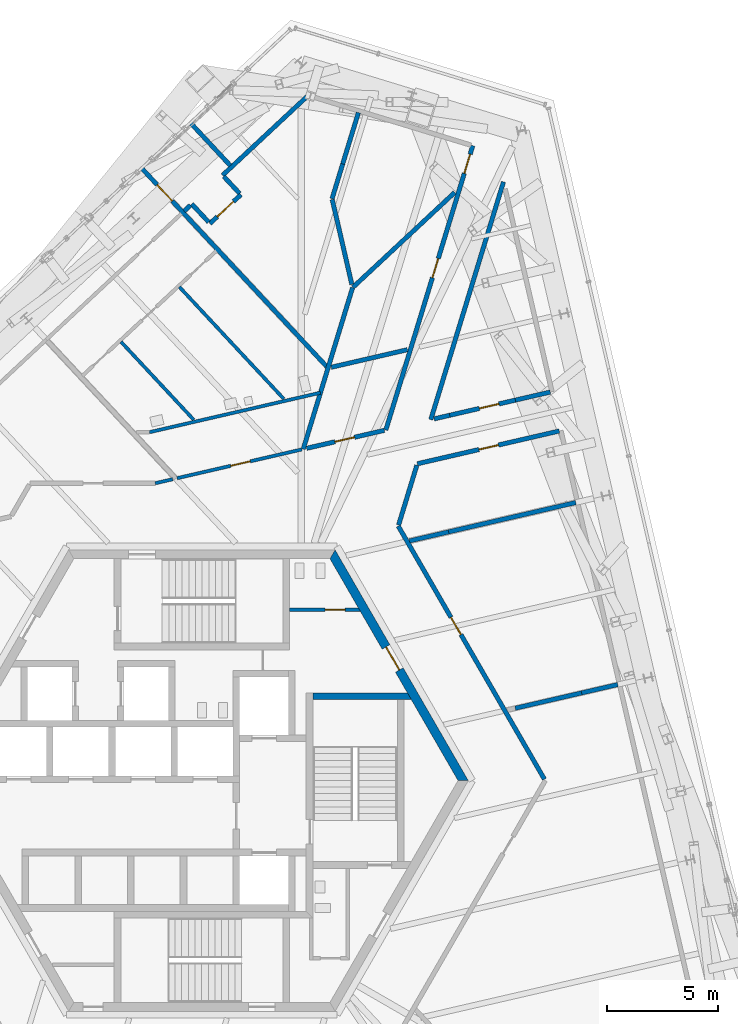
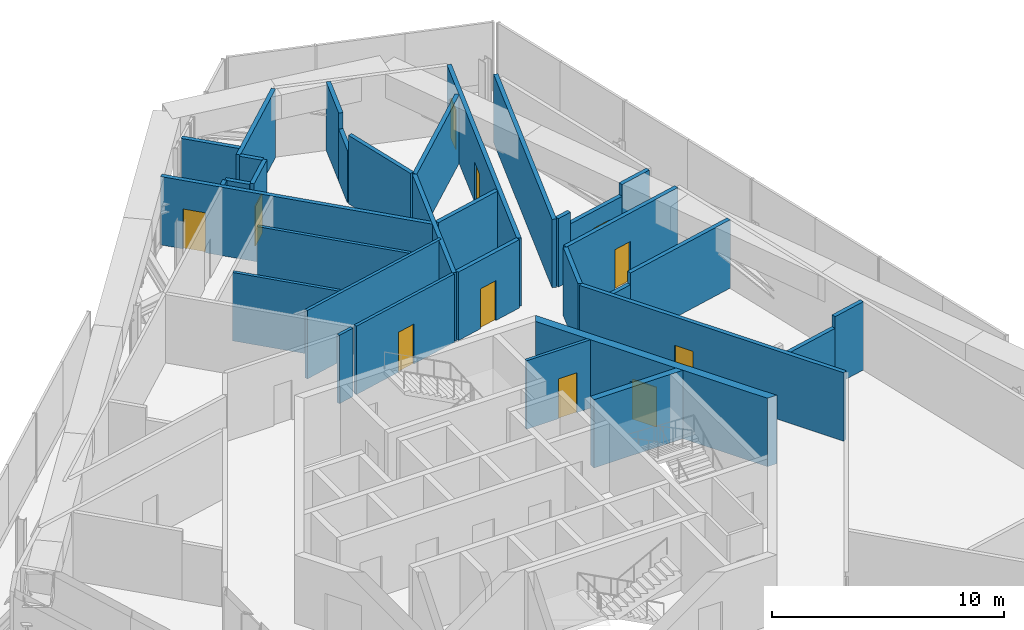
# One storey, part 21 of 31: 34 walls, 11 doors, 11 openings.
"""IFC4 building model written with IfcOpenShell, lengths in metres."""

from ifc_helpers import new_model, si_unit, direction, frame, frame_2d, origin, place, context, subcontext, project, spatial, polyline, rectangle, outline, extrude, source, transform, mapped, material, layer, layer_set, type_object, element, fill, save


model = new_model("IFC4")

# Units and contexts
model_context = context("Model", 3, precision=1e-05, world=origin(), true_north=direction((0.0, 1.0)))
body_context = subcontext(model_context, "Body", "Model", "MODEL_VIEW")
ifc_project = project(units=[si_unit("LENGTHUNIT", "METRE"), si_unit("AREAUNIT", "SQUARE_METRE"), si_unit("VOLUMEUNIT", "CUBIC_METRE"), si_unit("PLANEANGLEUNIT", "RADIAN"), si_unit("MASSUNIT", "GRAM", prefix="KILO")], contexts=[model_context])

# Site, building, storey
site_placement = place(None, origin())
site = spatial("IfcSite", under=ifc_project, at=site_placement, CompositionType="ELEMENT")
building_placement = place(site_placement, origin())
building = spatial("IfcBuilding", under=site, at=building_placement, Name="Triune Harvest Tower", CompositionType="ELEMENT")
storey_placement = place(building_placement, frame((0.0, 0.0, 134.300048828125)))
storey = spatial("IfcBuildingStorey", under=building, at=storey_placement, Name="L34", CompositionType="ELEMENT", Elevation=134.300048828125)

# Wall, opening, door
ifc_material_1 = material(Name="Concrete masonry unit", Category="masonry")
ifc_layer_1 = layer(ifc_material_1, 0.14990234375)
ifc_layer_set_1 = layer_set([ifc_layer_1], Name="Concrete masonry unit")
wall_type_1 = type_object("IfcWallType", Name="Block partition 150 unrated", PredefinedType="PARTITIONING", material=ifc_layer_set_1)
wall_1_placement = place(storey_placement, frame((3.949951171875, 7.699951171875, 0.0), z_axis=(0.0, 0.0, 1.0), x_axis=(1.0, 0.0, 0.0)))
wall_1 = element("IfcWall", 1, at=wall_1_placement, inside=storey, type_object=wall_type_1, Name="Wc women south wall", PredefinedType="PARTITIONING", context=body_context, shape_type="SweptSolid", body=[
    extrude(outline(polyline([(0.0, -0.074951171875), (0.0, 0.074951171875), (3.1015625, 0.074951171875), (3.18798828125, -0.074951171875), (0.0, -0.074951171875)])), origin(), (0.0, 0.0, 1.0), 3.599853515625),
])
opening_1_placement = place(wall_1_placement, frame((1.60009765625, 0.0, 0.0)))
opening_1 = element("IfcOpeningElement", 2, at=opening_1_placement, cuts=wall_1, Name="Opening CD-WW", PredefinedType="OPENING", context=body_context, shape_type="SweptSolid", body=[
    extrude(rectangle(XDim=0.89990234375, YDim=2.10009765625, at=frame_2d((0.449951171875, 1.050048828125))), frame((0.0, 0.0849609375, 0.0), z_axis=(0.0, -1.0, 0.0), x_axis=(1.0, 0.0, 0.0)), (0.0, 0.0, 1.0), 0.169921875),
])
ifc_material_2 = material(Name="Timber C24", Category="wood")
door_type_1 = type_object("IfcDoorType", Name="WC door 900", OperationType="SINGLE_SWING_LEFT", PredefinedType="DOOR", material=ifc_material_2)
door_1_placement = place(opening_1_placement, origin())
door_1 = element("IfcDoor", 3, at=door_1_placement, inside=storey, type_object=door_type_1, Name="Door CD-WW", OperationType="SINGLE_SWING_LEFT", OverallHeight=2.10009765625, OverallWidth=0.89990234375, PredefinedType="DOOR", context=body_context, shape_type="SweptSolid", body=[
    extrude(rectangle(XDim=0.89990234375, YDim=2.10009765625, at=frame_2d((0.449951171875, 1.050048828125))), frame((0.0, 0.02490234375, 0.0), z_axis=(0.0, -1.0, 0.0), x_axis=(1.0, 0.0, 0.0)), (0.0, 0.0, 1.0), 0.050048828125),
])
fill(opening_1, door_1)

# Walls
ifc_material_3 = material(Name="Concrete 70 MPa", Category="concrete")
ifc_layer_2 = layer(ifc_material_3, 0.300048828125)
ifc_layer_set_2 = layer_set([ifc_layer_2], Name="Concrete 70 MPa")
wall_type_2 = type_object("IfcWallType", Name="Core wall 300", PredefinedType="SHEAR", material=ifc_layer_set_2)
wall_2_placement = place(storey_placement, frame((5.0, 3.800048828125, 0.0), z_axis=(0.0, 0.0, 1.0), x_axis=(1.0, 0.0, 0.0)))
element("IfcWall", 4, at=wall_2_placement, inside=storey, type_object=wall_type_2, Name="Stair e north wall", PredefinedType="SHEAR", context=body_context, shape_type="SweptSolid", body=[
    extrude(outline(polyline([(0.0, -0.14990234375), (0.0, 0.14990234375), (4.260009765625, 0.14990234375), (4.43310546875, -0.14990234375), (0.0, -0.14990234375)])), origin(), (0.0, 0.0, 1.0), 3.599853515625),
])
ifc_material_4 = material(Name="Gypsum board on steel studs", Category="steel")
ifc_layer_3 = layer(ifc_material_4, 0.14990234375)
ifc_layer_set_3 = layer_set([ifc_layer_3], Name="Gypsum board on steel studs")
wall_type_3 = type_object("IfcWallType", Name="Fire Partition 150 mm", PredefinedType="PARTITIONING", material=ifc_layer_set_3)
wall_3_placement = place(storey_placement, frame((-3.646728515625, 19.767578125, 0.0), z_axis=(0.0, 0.0, 1.0), x_axis=(0.682001623789, -0.731350658131, 0.0)))
element("IfcWall", 5, at=wall_3_placement, inside=storey, type_object=wall_type_3, Name="Partition L34 018", PredefinedType="PARTITIONING", context=body_context, shape_type="SweptSolid", body=[
    extrude(rectangle(XDim=4.80859375, YDim=0.14990234375, at=frame_2d((2.404296875, 0.0))), origin(), (0.0, 0.0, 1.0), 3.599853515625),
])
wall_4_placement = place(storey_placement, frame((-1.014404296875, 22.236083984375, 0.0), z_axis=(0.0, 0.0, 1.0), x_axis=(0.682005654389, -0.731346899482, 0.0)))
element("IfcWall", 6, at=wall_4_placement, inside=storey, type_object=wall_type_3, Name="Partition L34 019", PredefinedType="PARTITIONING", context=body_context, shape_type="SweptSolid", body=[
    extrude(rectangle(XDim=6.90234375, YDim=0.14990234375, at=frame_2d((3.451171875, 0.0))), origin(), (0.0, 0.0, 1.0), 3.599853515625),
])
wall_5_placement = place(storey_placement, frame((-2.101318359375, 13.39208984375, 0.0), z_axis=(0.0, 0.0, 1.0), x_axis=(0.974360606036, 0.224992020761, 0.0)))
element("IfcWall", 7, at=wall_5_placement, inside=storey, type_object=wall_type_3, Name="Partition L34 042", PredefinedType="PARTITIONING", context=body_context, shape_type="SweptSolid", body=[
    extrude(rectangle(XDim=0.807373046875, YDim=0.14990234375, at=frame_2d((0.40380859375, 0.0))), origin(), (0.0, 0.0, 1.0), 3.599853515625),
])

# Wall, opening, door
wall_6_placement = place(storey_placement, frame((-1.119873046875, 13.61865234375, 0.0), z_axis=(0.0, 0.0, 1.0), x_axis=(0.974371226779, 0.224946021136, 0.0)))
wall_6 = element("IfcWall", 8, at=wall_6_placement, inside=storey, type_object=wall_type_3, Name="Partition L34 043", PredefinedType="PARTITIONING", context=body_context, shape_type="SweptSolid", body=[
    extrude(rectangle(XDim=5.770751953125, YDim=0.14990234375, at=frame_2d((2.88525390625, 0.0))), origin(), (0.0, 0.0, 1.0), 3.599853515625),
])
opening_2_placement = place(wall_6_placement, frame((2.484375, 0.0, 0.0)))
opening_2 = element("IfcOpeningElement", 9, at=opening_2_placement, cuts=wall_6, Name="Opening L34-014", PredefinedType="OPENING", context=body_context, shape_type="SweptSolid", body=[
    extrude(rectangle(XDim=0.89990234375, YDim=2.10009765625, at=frame_2d((0.449951171875, 1.050048828125))), frame((0.0, 0.0849609375, 0.0), z_axis=(0.0, -1.0, 0.0), x_axis=(1.0, 0.0, 0.0)), (0.0, 0.0, 1.0), 0.169921875),
])
ifc_material_5 = material(Name="Timber and steel door set", Category="steel")
door_type_2 = type_object("IfcDoorType", Name="Single leaf door FD30 right hand 900 x 2100", OperationType="SINGLE_SWING_RIGHT", PredefinedType="DOOR", material=ifc_material_5)
door_2_placement = place(opening_2_placement, origin())
door_2 = element("IfcDoor", 10, at=door_2_placement, inside=storey, type_object=door_type_2, Name="Door L34-014 Cleaner's store 34.14", OperationType="SINGLE_SWING_RIGHT", OverallHeight=2.10009765625, OverallWidth=0.89990234375, PredefinedType="DOOR", context=body_context, shape_type="SweptSolid", body=[
    extrude(rectangle(XDim=0.89990234375, YDim=2.10009765625, at=frame_2d((0.449951171875, 1.050048828125))), frame((0.0, 0.02490234375, 0.0), z_axis=(0.0, -1.0, 0.0), x_axis=(1.0, 0.0, 0.0)), (0.0, 0.0, 1.0), 0.050048828125),
])
fill(opening_2, door_2)

# Walls
wall_7_placement = place(storey_placement, frame((-2.362548828125, 15.6923828125, 0.0), z_axis=(0.0, 0.0, 1.0), x_axis=(0.974370374568, 0.224949712525, 0.0)))
element("IfcWall", 11, at=wall_7_placement, inside=storey, type_object=wall_type_3, Name="Partition L34 046", PredefinedType="PARTITIONING", context=body_context, shape_type="SweptSolid", body=[
    extrude(rectangle(XDim=7.906494140625, YDim=0.14990234375, at=frame_2d((3.953125, 0.0))), origin(), (0.0, 0.0, 1.0), 3.599853515625),
])
ifc_material_6 = material(Name="Gypsum board on steel studs", Category="steel")
ifc_layer_4 = layer(ifc_material_6, 0.199951171875)
ifc_layer_set_4 = layer_set([ifc_layer_4], Name="Gypsum board on steel studs")
wall_type_4 = type_object("IfcWallType", Name="Fire Wall 200 mm", PredefinedType="PARTITIONING", material=ifc_layer_set_4)
wall_8_placement = place(storey_placement, frame((5.870361328125, 26.177490234375, 0.0), z_axis=(0.0, 0.0, 1.0), x_axis=(0.224995645898, -0.974359768939, 0.0)))
element("IfcWall", 12, at=wall_8_placement, inside=storey, type_object=wall_type_4, Name="Partition L34 002", PredefinedType="PARTITIONING", context=body_context, shape_type="SweptSolid", body=[
    extrude(rectangle(XDim=3.92919921875, YDim=0.199951171875, at=frame_2d((1.964599609375, 0.0))), origin(), (0.0, 0.0, 1.0), 3.599853515625),
])

# Wall, opening, door
wall_9_placement = place(storey_placement, frame((8.84521484375, 11.464111328125, 0.0), z_axis=(0.0, 0.0, 1.0), x_axis=(0.500007596272, -0.866021018031, 0.0)))
wall_9 = element("IfcWall", 13, at=wall_9_placement, inside=storey, type_object=wall_type_4, Name="Partition L34 008", PredefinedType="PARTITIONING", context=body_context, shape_type="SweptSolid", body=[
    extrude(rectangle(XDim=13.167724609375, YDim=0.199951171875, at=frame_2d((6.583984375, 0.0))), origin(), (0.0, 0.0, 1.0), 3.599853515625),
])
opening_3_placement = place(wall_9_placement, frame((4.75, 0.0, 0.0)))
opening_3 = element("IfcOpeningElement", 14, at=opening_3_placement, cuts=wall_9, Name="Opening L34-003", PredefinedType="OPENING", context=body_context, shape_type="SweptSolid", body=[
    extrude(rectangle(XDim=0.89990234375, YDim=2.10009765625, at=frame_2d((0.449951171875, 1.050048828125))), frame((0.0, 0.10986328125, 0.0), z_axis=(0.0, -1.0, 0.0), x_axis=(1.0, 0.0, 0.0)), (0.0, 0.0, 1.0), 0.219970703125),
])
ifc_material_7 = material(Name="Timber and steel door set", Category="steel")
door_type_3 = type_object("IfcDoorType", Name="Single leaf door FD60 left hand 900 x 2100", OperationType="SINGLE_SWING_LEFT", PredefinedType="DOOR", material=ifc_material_7)
door_3_placement = place(opening_3_placement, origin())
door_3 = element("IfcDoor", 15, at=door_3_placement, inside=storey, type_object=door_type_3, Name="Door L34-003 Plant room 34.03", OperationType="SINGLE_SWING_LEFT", OverallHeight=2.10009765625, OverallWidth=0.89990234375, PredefinedType="DOOR", context=body_context, shape_type="SweptSolid", body=[
    extrude(rectangle(XDim=0.89990234375, YDim=2.10009765625, at=frame_2d((0.449951171875, 1.050048828125))), frame((0.0, 0.02490234375, 0.0), z_axis=(0.0, -1.0, 0.0), x_axis=(1.0, 0.0, 0.0)), (0.0, 0.0, 1.0), 0.050048828125),
])
fill(opening_3, door_3)

wall_10_placement = place(storey_placement, frame((-2.71240234375, 27.584716796875, 0.0), z_axis=(0.0, 0.0, 1.0), x_axis=(0.681999434753, -0.731352699453, 0.0)))
wall_10 = element("IfcWall", 16, at=wall_10_placement, inside=storey, type_object=wall_type_4, Name="Partition L34 020", PredefinedType="PARTITIONING", context=body_context, shape_type="SweptSolid", body=[
    extrude(rectangle(XDim=12.3076171875, YDim=0.199951171875, at=frame_2d((6.15380859375, 0.0))), origin(), (0.0, 0.0, 1.0), 3.599853515625),
])
opening_4_placement = place(wall_10_placement, frame((1.02001953125, 0.0, 0.0)))
opening_4 = element("IfcOpeningElement", 17, at=opening_4_placement, cuts=wall_10, Name="Opening L34-025", PredefinedType="OPENING", context=body_context, shape_type="SweptSolid", body=[
    extrude(rectangle(XDim=1.0, YDim=2.10009765625, at=frame_2d((0.5, 1.050048828125))), frame((0.0, 0.10986328125, 0.0), z_axis=(0.0, -1.0, 0.0), x_axis=(1.0, 0.0, 0.0)), (0.0, 0.0, 1.0), 0.219970703125),
])
ifc_material_8 = material(Name="Timber and steel door set", Category="steel")
door_type_4 = type_object("IfcDoorType", Name="Wide single leaf door FD60 left hand 1000 x 2100", OperationType="SINGLE_SWING_LEFT", PredefinedType="DOOR", material=ifc_material_8)
door_4_placement = place(opening_4_placement, origin())
door_4 = element("IfcDoor", 18, at=door_4_placement, inside=storey, type_object=door_type_4, Name="Door L34-025 Refuge Lobby 34.25", OperationType="SINGLE_SWING_LEFT", OverallHeight=2.10009765625, OverallWidth=1.0, PredefinedType="DOOR", context=body_context, shape_type="SweptSolid", body=[
    extrude(rectangle(XDim=1.0, YDim=2.10009765625, at=frame_2d((0.5, 1.050048828125))), frame((0.0, 0.02490234375, 0.0), z_axis=(0.0, -1.0, 0.0), x_axis=(1.0, 0.0, 0.0)), (0.0, 0.0, 1.0), 0.050048828125),
])
fill(opening_4, door_4)

# Walls
wall_11_placement = place(storey_placement, frame((-0.455078125, 25.970703125, 0.0), z_axis=(0.0, 0.0, 1.0), x_axis=(0.681929778348, -0.731417649091, 0.0)))
element("IfcWall", 19, at=wall_11_placement, inside=storey, type_object=wall_type_4, Name="Partition L34 021", PredefinedType="PARTITIONING", context=body_context, shape_type="SweptSolid", body=[
    extrude(rectangle(XDim=1.119873046875, YDim=0.199951171875, at=frame_2d((0.56005859375, 0.0))), origin(), (0.0, 0.0, 1.0), 3.599853515625),
])
wall_12_placement = place(storey_placement, frame((0.989013671875, 27.2080078125, 0.0), z_axis=(0.0, 0.0, 1.0), x_axis=(0.681908330745, -0.731437644957, 0.0)))
element("IfcWall", 20, at=wall_12_placement, inside=storey, type_object=wall_type_4, Name="Partition L34 022", PredefinedType="PARTITIONING", context=body_context, shape_type="SweptSolid", body=[
    extrude(rectangle(XDim=1.0400390625, YDim=0.199951171875, at=frame_2d((0.52001953125, 0.0))), origin(), (0.0, 0.0, 1.0), 3.599853515625),
])
wall_13_placement = place(storey_placement, frame((-0.5185546875, 29.630859375, 0.0), z_axis=(0.0, 0.0, 1.0), x_axis=(0.68198541011, -0.731365777431, 0.0)))
element("IfcWall", 21, at=wall_13_placement, inside=storey, type_object=wall_type_4, Name="Partition L34 023", PredefinedType="PARTITIONING", context=body_context, shape_type="SweptSolid", body=[
    extrude(rectangle(XDim=2.64013671875, YDim=0.199951171875, at=frame_2d((1.320068359375, 0.0))), origin(), (0.0, 0.0, 1.0), 3.599853515625),
])
wall_14_placement = place(storey_placement, frame((14.113525390625, 3.25830078125, 0.0), z_axis=(0.0, 0.0, 1.0), x_axis=(0.974381809219, 0.224900177552, 0.0)))
element("IfcWall", 22, at=wall_14_placement, inside=storey, type_object=wall_type_4, Name="Partition L34 037a", PredefinedType="PARTITIONING", context=body_context, shape_type="SweptSolid", body=[
    extrude(rectangle(XDim=3.06884765625, YDim=0.199951171875, at=frame_2d((1.534423828125, 0.0))), origin(), (0.0, 0.0, 1.0), 2.98779296875),
])
wall_15_placement = place(storey_placement, frame((9.35302734375, 10.794921875, 0.0), z_axis=(0.0, 0.0, 1.0), x_axis=(0.974354695249, 0.225017616747, 0.0)))
element("IfcWall", 23, at=wall_15_placement, inside=storey, type_object=wall_type_4, Name="Partition L34 038", PredefinedType="PARTITIONING", context=body_context, shape_type="SweptSolid", body=[
    extrude(rectangle(XDim=1.804443359375, YDim=0.199951171875, at=frame_2d((0.90234375, 0.0))), origin(), (0.0, 0.0, 1.0), 2.98779296875),
])
wall_16_placement = place(storey_placement, frame((11.111083984375, 11.200927734375, 0.0), z_axis=(0.0, 0.0, 1.0), x_axis=(0.974371592001, 0.224944439142, 0.0)))
element("IfcWall", 24, at=wall_16_placement, inside=storey, type_object=wall_type_4, Name="Partition L34 038a", PredefinedType="PARTITIONING", context=body_context, shape_type="SweptSolid", body=[
    extrude(rectangle(XDim=5.878173828125, YDim=0.199951171875, at=frame_2d((2.93896484375, 0.0))), origin(), (0.0, 0.0, 1.0), 3.599853515625),
])

# Wall, opening, door
wall_17_placement = place(storey_placement, frame((9.703369140625, 14.27001953125, 0.0), z_axis=(0.0, 0.0, 1.0), x_axis=(0.974369235728, 0.224954645355, 0.0)))
wall_17 = element("IfcWall", 25, at=wall_17_placement, inside=storey, type_object=wall_type_4, Name="Partition L34 040", PredefinedType="PARTITIONING", context=body_context, shape_type="SweptSolid", body=[
    extrude(rectangle(XDim=6.5595703125, YDim=0.199951171875, at=frame_2d((3.27978515625, 0.0))), origin(), (0.0, 0.0, 1.0), 3.599853515625),
])
opening_5_placement = place(wall_17_placement, frame((2.85009765625, 0.0, 0.0)))
opening_5 = element("IfcOpeningElement", 26, at=opening_5_placement, cuts=wall_17, Name="Opening L34-005", PredefinedType="OPENING", context=body_context, shape_type="SweptSolid", body=[
    extrude(rectangle(XDim=0.89990234375, YDim=2.10009765625, at=frame_2d((0.449951171875, 1.050048828125))), frame((0.0, 0.10986328125, 0.0), z_axis=(0.0, -1.0, 0.0), x_axis=(1.0, 0.0, 0.0)), (0.0, 0.0, 1.0), 0.219970703125),
])
ifc_material_9 = material(Name="Timber and steel door set", Category="steel")
door_type_5 = type_object("IfcDoorType", Name="Single leaf door FD60 right hand 900 x 2100", OperationType="SINGLE_SWING_RIGHT", PredefinedType="DOOR", material=ifc_material_9)
door_5_placement = place(opening_5_placement, origin())
door_5 = element("IfcDoor", 27, at=door_5_placement, inside=storey, type_object=door_type_5, Name="Door L34-005 Pump Room 34.05", OperationType="SINGLE_SWING_RIGHT", OverallHeight=2.10009765625, OverallWidth=0.89990234375, PredefinedType="DOOR", context=body_context, shape_type="SweptSolid", body=[
    extrude(rectangle(XDim=0.89990234375, YDim=2.10009765625, at=frame_2d((0.449951171875, 1.050048828125))), frame((0.0, 0.02490234375, 0.0), z_axis=(0.0, -1.0, 0.0), x_axis=(1.0, 0.0, 0.0)), (0.0, 0.0, 1.0), 0.050048828125),
])
fill(opening_5, door_5)

wall_18_placement = place(storey_placement, frame((4.71728515625, 14.96630859375, 0.0), z_axis=(0.0, 0.0, 1.0), x_axis=(0.974372866874, 0.224938916819, 0.0)))
wall_18 = element("IfcWall", 28, at=wall_18_placement, inside=storey, type_object=wall_type_4, Name="Partition L34 044", PredefinedType="PARTITIONING", context=body_context, shape_type="SweptSolid", body=[
    extrude(rectangle(XDim=3.592529296875, YDim=0.199951171875, at=frame_2d((1.79638671875, 0.0))), origin(), (0.0, 0.0, 1.0), 3.599853515625),
])
opening_6_placement = place(wall_18_placement, frame((1.3125, 0.0, 0.0)))
opening_6 = element("IfcOpeningElement", 29, at=opening_6_placement, cuts=wall_18, Name="Opening L34-004", PredefinedType="OPENING", context=body_context, shape_type="SweptSolid", body=[
    extrude(rectangle(XDim=0.89990234375, YDim=2.10009765625, at=frame_2d((0.449951171875, 1.050048828125))), frame((0.0, 0.10986328125, 0.0), z_axis=(0.0, -1.0, 0.0), x_axis=(1.0, 0.0, 0.0)), (0.0, 0.0, 1.0), 0.219970703125),
])
door_6_placement = place(opening_6_placement, origin())
door_6 = element("IfcDoor", 30, at=door_6_placement, inside=storey, type_object=door_type_5, Name="Door L34-004 Switch Room 34.04", OperationType="SINGLE_SWING_RIGHT", OverallHeight=2.10009765625, OverallWidth=0.89990234375, PredefinedType="DOOR", context=body_context, shape_type="SweptSolid", body=[
    extrude(rectangle(XDim=0.89990234375, YDim=2.10009765625, at=frame_2d((0.449951171875, 1.050048828125))), frame((0.0, 0.02490234375, 0.0), z_axis=(0.0, -1.0, 0.0), x_axis=(1.0, 0.0, 0.0)), (0.0, 0.0, 1.0), 0.050048828125),
])
fill(opening_6, door_6)

# Wall
wall_19_placement = place(storey_placement, frame((10.45751953125, 16.29150390625, 0.0), z_axis=(0.0, 0.0, 1.0), x_axis=(0.97440260689, 0.224810052458, 0.0)))
element("IfcWall", 31, at=wall_19_placement, inside=storey, type_object=wall_type_4, Name="Partition L34 045", PredefinedType="PARTITIONING", context=body_context, shape_type="SweptSolid", body=[
    extrude(rectangle(XDim=0.72119140625, YDim=0.199951171875, at=frame_2d((0.360595703125, 0.0))), origin(), (0.0, 0.0, 1.0), 3.599853515625),
])

# Wall, opening, door
wall_20_placement = place(storey_placement, frame((11.16015625, 16.45361328125, 0.0), z_axis=(0.0, 0.0, 1.0), x_axis=(0.974370874189, 0.224947548404, 0.0)))
wall_20 = element("IfcWall", 32, at=wall_20_placement, inside=storey, type_object=wall_type_4, Name="Partition L34 045a", PredefinedType="PARTITIONING", context=body_context, shape_type="SweptSolid", body=[
    extrude(rectangle(XDim=3.037841796875, YDim=0.199951171875, at=frame_2d((1.51904296875, 0.0))), origin(), (0.0, 0.0, 1.0), 2.98779296875),
])
opening_7_placement = place(wall_20_placement, frame((1.37890625, 0.0, 0.0)))
opening_7 = element("IfcOpeningElement", 33, at=opening_7_placement, cuts=wall_20, Name="Opening L34-006", PredefinedType="OPENING", context=body_context, shape_type="SweptSolid", body=[
    extrude(rectangle(XDim=0.89990234375, YDim=2.10009765625, at=frame_2d((0.449951171875, 1.050048828125))), frame((0.0, 0.10986328125, 0.0), z_axis=(0.0, -1.0, 0.0), x_axis=(1.0, 0.0, 0.0)), (0.0, 0.0, 1.0), 0.219970703125),
])
door_7_placement = place(opening_7_placement, origin())
door_7 = element("IfcDoor", 34, at=door_7_placement, inside=storey, type_object=door_type_3, Name="Door L34-006 Switch Room 34.06", OperationType="SINGLE_SWING_LEFT", OverallHeight=2.10009765625, OverallWidth=0.89990234375, PredefinedType="DOOR", context=body_context, shape_type="SweptSolid", body=[
    extrude(rectangle(XDim=0.89990234375, YDim=2.10009765625, at=frame_2d((0.449951171875, 1.050048828125))), frame((0.0, 0.02490234375, 0.0), z_axis=(0.0, -1.0, 0.0), x_axis=(1.0, 0.0, 0.0)), (0.0, 0.0, 1.0), 0.050048828125),
])
fill(opening_7, door_7)

# Walls
wall_21_placement = place(storey_placement, frame((14.1201171875, 17.136962890625, 0.0), z_axis=(0.0, 0.0, 1.0), x_axis=(0.974360544184, 0.22499228862, 0.0)))
element("IfcWall", 35, at=wall_21_placement, inside=storey, type_object=wall_type_4, Name="Partition L34 045b", PredefinedType="PARTITIONING", context=body_context, shape_type="SweptSolid", body=[
    extrude(rectangle(XDim=1.611328125, YDim=0.199951171875, at=frame_2d((0.8056640625, 0.0))), origin(), (0.0, 0.0, 1.0), 3.599853515625),
])
wall_22_placement = place(storey_placement, frame((5.82763671875, 18.616943359375, 0.0), z_axis=(0.0, 0.0, 1.0), x_axis=(0.97437131196, 0.224945652167, 0.0)))
element("IfcWall", 36, at=wall_22_placement, inside=storey, type_object=wall_type_4, Name="Partition L34 047", PredefinedType="PARTITIONING", context=body_context, shape_type="SweptSolid", body=[
    extrude(rectangle(XDim=3.5185546875, YDim=0.199951171875, at=frame_2d((1.75927734375, 0.0))), origin(), (0.0, 0.0, 1.0), 3.599853515625),
])
wall_23_placement = place(storey_placement, frame((6.81005859375, 22.223388671875, 0.0), z_axis=(0.0, 0.0, 1.0), x_axis=(0.731365435247, 0.681985777071, 0.0)))
element("IfcWall", 37, at=wall_23_placement, inside=storey, type_object=wall_type_4, Name="Partition L34 049", PredefinedType="PARTITIONING", context=body_context, shape_type="SweptSolid", body=[
    extrude(rectangle(XDim=6.25439453125, YDim=0.199951171875, at=frame_2d((3.127197265625, 0.0))), origin(), (0.0, 0.0, 1.0), 3.599853515625),
])

# Wall, opening, door
wall_24_placement = place(storey_placement, frame((0.36328125, 25.093017578125, 0.0), z_axis=(0.0, 0.0, 1.0), x_axis=(0.731285974658, 0.682070981108, 0.0)))
wall_24 = element("IfcWall", 38, at=wall_24_placement, inside=storey, type_object=wall_type_4, Name="Partition L34 053", PredefinedType="PARTITIONING", context=body_context, shape_type="SweptSolid", body=[
    extrude(rectangle(XDim=1.89990234375, YDim=0.199951171875, at=frame_2d((0.949951171875, 0.0))), origin(), (0.0, 0.0, 1.0), 3.599853515625),
])
opening_8_placement = place(wall_24_placement, frame((0.449951171875, 0.0, 0.0)))
opening_8 = element("IfcOpeningElement", 39, at=opening_8_placement, cuts=wall_24, Name="Opening L34-009", PredefinedType="OPENING", context=body_context, shape_type="SweptSolid", body=[
    extrude(rectangle(XDim=1.0, YDim=2.10009765625, at=frame_2d((0.5, 1.050048828125))), frame((0.0, 0.10986328125, 0.0), z_axis=(0.0, -1.0, 0.0), x_axis=(1.0, 0.0, 0.0)), (0.0, 0.0, 1.0), 0.219970703125),
])
ifc_material_10 = material(Name="Timber and steel door set", Category="steel")
door_type_6 = type_object("IfcDoorType", Name="Wide single leaf door FD60 right hand 1000 x 2100", OperationType="SINGLE_SWING_RIGHT", PredefinedType="DOOR", material=ifc_material_10)
door_8_placement = place(opening_8_placement, origin())
door_8 = element("IfcDoor", 40, at=door_8_placement, inside=storey, type_object=door_type_6, Name="Door L34-009 Refuge Area 34.09", OperationType="SINGLE_SWING_RIGHT", OverallHeight=2.10009765625, OverallWidth=1.0, PredefinedType="DOOR", context=body_context, shape_type="SweptSolid", body=[
    extrude(rectangle(XDim=1.0, YDim=2.10009765625, at=frame_2d((0.5, 1.050048828125))), frame((0.0, 0.02490234375, 0.0), z_axis=(0.0, -1.0, 0.0), x_axis=(1.0, 0.0, 0.0)), (0.0, 0.0, 1.0), 0.050048828125),
])
fill(opening_8, door_8)

# Walls
wall_25_placement = place(storey_placement, frame((-0.7998046875, 25.649169921875, 0.0), z_axis=(0.0, 0.0, 1.0), x_axis=(0.731409177316, 0.681938864809, 0.0)))
element("IfcWall", 41, at=wall_25_placement, inside=storey, type_object=wall_type_4, Name="Partition L34 058", PredefinedType="PARTITIONING", context=body_context, shape_type="SweptSolid", body=[
    extrude(rectangle(XDim=0.389892578125, YDim=0.199951171875, at=frame_2d((0.19482421875, 0.0))), origin(), (0.0, 0.0, 1.0), 3.599853515625),
])
wall_26_placement = place(storey_placement, frame((0.93505859375, 27.26708984375, 0.0), z_axis=(0.0, 0.0, 1.0), x_axis=(0.731350305333, 0.682002002116, 0.0)))
element("IfcWall", 42, at=wall_26_placement, inside=storey, type_object=wall_type_4, Name="Partition L34 059", PredefinedType="PARTITIONING", context=body_context, shape_type="SweptSolid", body=[
    extrude(rectangle(XDim=5.19970703125, YDim=0.199951171875, at=frame_2d((2.599853515625, 0.0))), origin(), (0.0, 0.0, 1.0), 3.599853515625),
])
wall_27_placement = place(storey_placement, frame((8.860107421875, 11.51171875, 0.0), z_axis=(0.0, 0.0, 1.0), x_axis=(0.29231770176, 0.956321264658, 0.0)))
element("IfcWall", 43, at=wall_27_placement, inside=storey, type_object=wall_type_4, Name="Partition L34 065", PredefinedType="PARTITIONING", context=body_context, shape_type="SweptSolid", body=[
    extrude(rectangle(XDim=2.814697265625, YDim=0.199951171875, at=frame_2d((1.4072265625, 0.0))), origin(), (0.0, 0.0, 1.0), 3.599853515625),
])
wall_28_placement = place(storey_placement, frame((10.31103515625, 16.2578125, 0.0), z_axis=(0.0, 0.0, 1.0), x_axis=(0.292377471314, 0.95630299292, 0.0)))
element("IfcWall", 44, at=wall_28_placement, inside=storey, type_object=wall_type_4, Name="Partition L34 066", PredefinedType="PARTITIONING", context=body_context, shape_type="SweptSolid", body=[
    extrude(rectangle(XDim=11.2001953125, YDim=0.199951171875, at=frame_2d((5.60009765625, 0.0))), origin(), (0.0, 0.0, 1.0), 3.599853515625),
])

# Wall, openings, doors
wall_29_placement = place(storey_placement, frame((8.285888671875, 15.790283203125, 0.0), z_axis=(0.0, 0.0, 1.0), x_axis=(0.292367227424, 0.956306124799, 0.0)))
wall_29 = element("IfcWall", 45, at=wall_29_placement, inside=storey, type_object=wall_type_4, Name="Partition L34 068", PredefinedType="PARTITIONING", context=body_context, shape_type="SweptSolid", body=[
    extrude(rectangle(XDim=13.389892578125, YDim=0.199951171875, at=frame_2d((6.69482421875, 0.0))), origin(), (0.0, 0.0, 1.0), 3.599853515625),
])
opening_9_placement = place(wall_29_placement, frame((7.172607421875, 0.0, 0.0)))
opening_9 = element("IfcOpeningElement", 46, at=opening_9_placement, cuts=wall_29, Name="Opening L34-007", PredefinedType="OPENING", context=body_context, shape_type="SweptSolid", body=[
    extrude(rectangle(XDim=0.89990234375, YDim=2.10009765625, at=frame_2d((0.449951171875, 1.050048828125))), frame((0.0, 0.10986328125, 0.0), z_axis=(0.0, -1.0, 0.0), x_axis=(1.0, 0.0, 0.0)), (0.0, 0.0, 1.0), 0.219970703125),
])
opening_10_placement = place(wall_29_placement, frame((12.090087890625, 0.0, 0.0)))
opening_10 = element("IfcOpeningElement", 47, at=opening_10_placement, cuts=wall_29, Name="Opening L34-008", PredefinedType="OPENING", context=body_context, shape_type="SweptSolid", body=[
    extrude(rectangle(XDim=0.89990234375, YDim=2.10009765625, at=frame_2d((0.449951171875, 1.050048828125))), frame((0.0, 0.10986328125, 0.0), z_axis=(0.0, -1.0, 0.0), x_axis=(1.0, 0.0, 0.0)), (0.0, 0.0, 1.0), 0.219970703125),
])
door_9_placement = place(opening_9_placement, origin())
door_9 = element("IfcDoor", 48, at=door_9_placement, inside=storey, type_object=door_type_5, Name="Door L34-007 Pump Plant Room 34.07", OperationType="SINGLE_SWING_RIGHT", OverallHeight=2.10009765625, OverallWidth=0.89990234375, PredefinedType="DOOR", context=body_context, shape_type="SweptSolid", body=[
    extrude(rectangle(XDim=0.89990234375, YDim=2.10009765625, at=frame_2d((0.449951171875, 1.050048828125))), frame((0.0, 0.02490234375, 0.0), z_axis=(0.0, -1.0, 0.0), x_axis=(1.0, 0.0, 0.0)), (0.0, 0.0, 1.0), 0.050048828125),
])
fill(opening_9, door_9)
door_10_placement = place(opening_10_placement, origin())
door_10 = element("IfcDoor", 49, at=door_10_placement, inside=storey, type_object=door_type_5, Name="Door L34-008 Pump Plant Room 34.08", OperationType="SINGLE_SWING_RIGHT", OverallHeight=2.10009765625, OverallWidth=0.89990234375, PredefinedType="DOOR", context=body_context, shape_type="SweptSolid", body=[
    extrude(rectangle(XDim=0.89990234375, YDim=2.10009765625, at=frame_2d((0.449951171875, 1.050048828125))), frame((0.0, 0.02490234375, 0.0), z_axis=(0.0, -1.0, 0.0), x_axis=(1.0, 0.0, 0.0)), (0.0, 0.0, 1.0), 0.050048828125),
])
fill(opening_10, door_10)

# Walls
wall_30_placement = place(storey_placement, frame((4.56494140625, 14.93115234375, 0.0), z_axis=(0.0, 0.0, 1.0), x_axis=(0.292366174384, 0.95630644674, 0.0)))
element("IfcWall", 50, at=wall_30_placement, inside=storey, type_object=wall_type_4, Name="Partition L34 070", PredefinedType="PARTITIONING", context=body_context, shape_type="SweptSolid", body=[
    extrude(rectangle(XDim=7.60400390625, YDim=0.199951171875, at=frame_2d((3.802001953125, 0.0))), origin(), (0.0, 0.0, 1.0), 3.599853515625),
])
wall_31_placement = place(storey_placement, frame((5.86376953125, 26.206787109375, 0.0), z_axis=(0.0, 0.0, 1.0), x_axis=(0.292316898833, 0.956321510088, 0.0)))
element("IfcWall", 51, at=wall_31_placement, inside=storey, type_object=wall_type_4, Name="Partition L34 071", PredefinedType="PARTITIONING", context=body_context, shape_type="SweptSolid", body=[
    extrude(rectangle(XDim=1.639404296875, YDim=0.199951171875, at=frame_2d((0.81982421875, 0.0))), origin(), (0.0, 0.0, 1.0), 2.759033203125),
])
wall_32_placement = place(storey_placement, frame((6.343017578125, 27.774658203125, 0.0), z_axis=(0.0, 0.0, 1.0), x_axis=(0.292403286264, 0.956295099947, 0.0)))
element("IfcWall", 52, at=wall_32_placement, inside=storey, type_object=wall_type_4, Name="Partition L34 071a", PredefinedType="PARTITIONING", context=body_context, shape_type="SweptSolid", body=[
    extrude(rectangle(XDim=2.417236328125, YDim=0.199951171875, at=frame_2d((1.20849609375, 0.0))), origin(), (0.0, 0.0, 1.0), 3.599853515625),
])

# Wall, opening, door
ifc_material_11 = material(Name="Concrete 70 MPa", Category="concrete")
ifc_layer_5 = layer(ifc_material_11, 0.39990234375)
ifc_layer_set_5 = layer_set([ifc_layer_5], Name="Concrete 70 MPa")
wall_type_5 = type_object("IfcWallType", Name="Core wall 400", PredefinedType="SHEAR", material=ifc_layer_set_5)
shared_shape_1 = source(origin(), body_context, "Body", "SweptSolid", [
    extrude(outline(polyline([(-0.115478515625, -0.199951171875), (11.884521484375, -0.199951171875), (11.653564453125, 0.199951171875), (0.115478515625, 0.199951171875), (-0.115478515625, -0.199951171875)])), origin(), (0.0, 0.0, 1.0), 3.599853515625),
])
wall_33_placement = place(storey_placement, frame((11.76904296875, 0.0, 0.0), z_axis=(0.0, 0.0, 1.0), x_axis=(-0.499996592174, 0.866027371285, 0.0)))
wall_33 = element("IfcWall", 53, at=wall_33_placement, inside=storey, type_object=wall_type_5, Name="Hexagon 0 wall", PredefinedType="SHEAR", context=body_context, shape_type="MappedRepresentation", body=[
    mapped(shared_shape_1, transform((0.0, 0.0, 0.0), scale=1.0)),
])
opening_11_placement = place(wall_33_placement, frame((5.75048828125, 0.0, 0.0)))
opening_11 = element("IfcOpeningElement", 54, at=opening_11_placement, cuts=wall_33, Name="Opening CD-WCP", PredefinedType="OPENING", context=body_context, shape_type="SweptSolid", body=[
    extrude(rectangle(XDim=1.199951171875, YDim=2.10009765625, at=frame_2d((0.60009765625, 1.050048828125))), frame((0.0, 0.2099609375, 0.0), z_axis=(0.0, -1.0, 0.0), x_axis=(1.0, 0.0, 0.0)), (0.0, 0.0, 1.0), 0.419921875),
])
ifc_material_12 = material(Name="Steel S235", Category="steel")
door_type_7 = type_object("IfcDoorType", Name="Lobby door 1200 FD120", OperationType="SINGLE_SWING_LEFT", PredefinedType="DOOR", material=ifc_material_12)
door_11_placement = place(opening_11_placement, frame((1.199951171875, 0.0, 0.0), z_axis=(0.0, 0.0, 1.0), x_axis=(-1.0, 0.0, 0.0)))
door_11 = element("IfcDoor", 55, at=door_11_placement, inside=storey, type_object=door_type_7, Name="Door CD-WCP", OperationType="SINGLE_SWING_RIGHT", OverallHeight=2.10009765625, OverallWidth=1.199951171875, PredefinedType="DOOR", context=body_context, shape_type="SweptSolid", body=[
    extrude(rectangle(XDim=1.199951171875, YDim=2.10009765625, at=frame_2d((0.60009765625, 1.050048828125))), frame((0.0, 0.02490234375, 0.0), z_axis=(0.0, -1.0, 0.0), x_axis=(1.0, 0.0, 0.0)), (0.0, 0.0, 1.0), 0.050048828125),
])
fill(opening_11, door_11)

# Wall
shared_shape_2 = source(origin(), body_context, "Body", "SweptSolid", [
    extrude(rectangle(XDim=1.670654296875, YDim=0.199951171875, at=frame_2d((0.83544921875, 0.0))), origin(), (0.0, 0.0, 1.0), 3.599853515625),
])
wall_34_placement = place(storey_placement, frame((17.103759765625, 3.948486328125, 0.0), z_axis=(0.0, 0.0, 1.0), x_axis=(0.974344375558, 0.225062297639, 0.0)))
element("IfcWall", 56, at=wall_34_placement, inside=storey, type_object=wall_type_4, Name="Partition L34 037b", PredefinedType="PARTITIONING", context=body_context, shape_type="MappedRepresentation", body=[
    mapped(shared_shape_2, transform((0.0, 0.0, 0.0), scale=1.0)),
])

save(model, "model.ifc")
